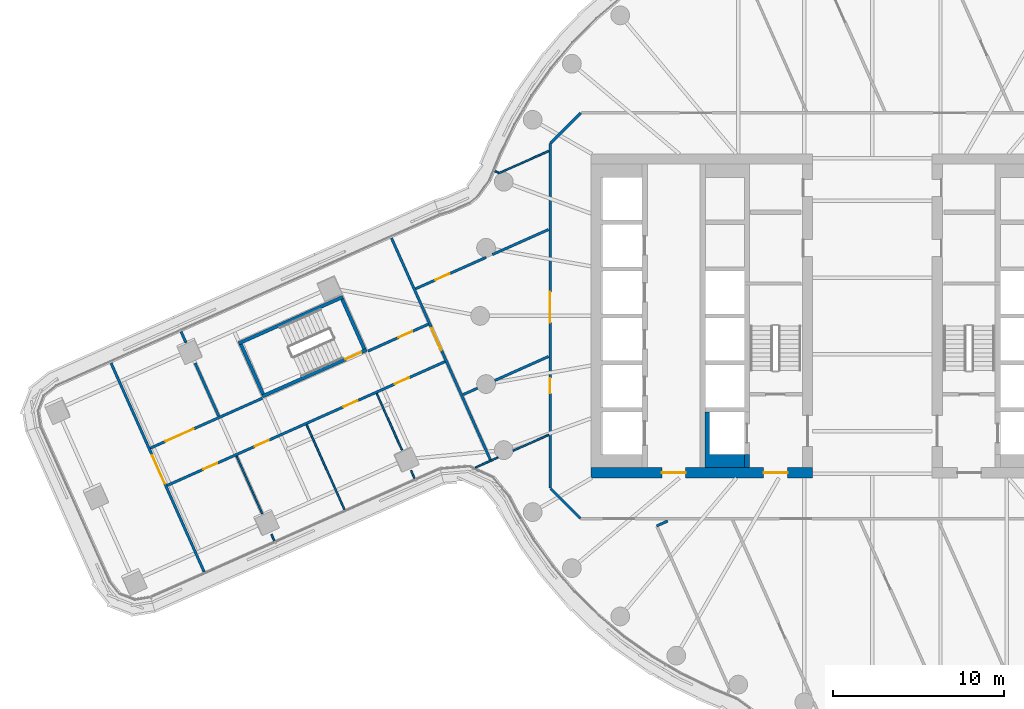
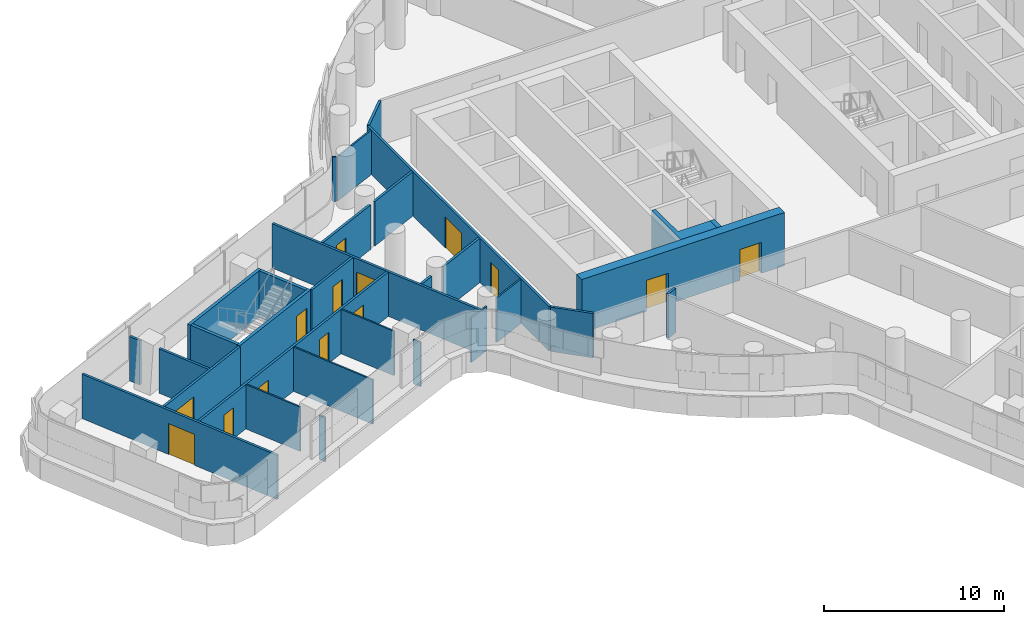
# One storey, part 22 of 35: 31 walls, 14 doors, 14 openings.
"""IFC4 building model written with IfcOpenShell, lengths in metres."""

from ifc_helpers import new_model, si_unit, direction, frame, frame_2d, origin, place, context, subcontext, project, spatial, polyline, rectangle, outline, extrude, material, layer, layer_set, type_object, element, fill, save


model = new_model("IFC4")

# Units and contexts
model_context = context("Model", 3, precision=1e-05, world=origin(), true_north=direction((0.0, 1.0)))
body_context = subcontext(model_context, "Body", "Model", "MODEL_VIEW")
ifc_project = project(units=[si_unit("LENGTHUNIT", "METRE"), si_unit("AREAUNIT", "SQUARE_METRE"), si_unit("VOLUMEUNIT", "CUBIC_METRE"), si_unit("PLANEANGLEUNIT", "RADIAN"), si_unit("MASSUNIT", "GRAM", prefix="KILO")], contexts=[model_context])

# Site, building, storey
site_placement = place(None, origin())
site = spatial("IfcSite", under=ifc_project, at=site_placement, CompositionType="ELEMENT")
building_placement = place(site_placement, origin())
building = spatial("IfcBuilding", under=site, at=building_placement, Name="Tamarind Cross Interchange Tower", CompositionType="ELEMENT")
storey_placement = place(building_placement, frame((0.0, 0.0, 121.0)))
storey = spatial("IfcBuildingStorey", under=building, at=storey_placement, Name="L29", CompositionType="ELEMENT", Elevation=121.0)

# Wall, openings, doors
ifc_material_1 = material(Name="Concrete C70", Category="concrete")
ifc_layer_1 = layer(ifc_material_1, 0.60009765625)
ifc_layer_set_1 = layer_set([ifc_layer_1], Name="Concrete C70")
wall_type_1 = type_object("IfcWallType", Name="Core wall 600 mm Concrete C70", PredefinedType="SHEAR", material=ifc_layer_set_1)
wall_1_placement = place(storey_placement, frame((-16.5, -9.199951171875, 0.0), z_axis=(0.0, 0.0, 1.0), x_axis=(1.0, 0.0, 0.0)))
wall_1 = element("IfcWall", 1, at=wall_1_placement, inside=storey, type_object=wall_type_1, Name="Core wall CWL-L29-W-S", PredefinedType="SHEAR", context=body_context, shape_type="SweptSolid", body=[
    extrude(rectangle(XDim=13.0, YDim=0.60009765625, at=frame_2d((6.5, 0.0))), origin(), (0.0, 0.0, 1.0), 3.610107421875),
])
opening_1_placement = place(wall_1_placement, frame((4.14990234375, 0.0, 0.0)))
opening_1 = element("IfcOpeningElement", 2, at=opening_1_placement, cuts=wall_1, Name="Opening DCW1", PredefinedType="OPENING", context=body_context, shape_type="SweptSolid", body=[
    extrude(rectangle(XDim=1.39990234375, YDim=2.10009765625, at=frame_2d((0.699951171875, 1.050048828125))), frame((0.0, 0.31005859375, 0.0), z_axis=(0.0, -1.0, 0.0), x_axis=(1.0, 0.0, 0.0)), (0.0, 0.0, 1.0), 0.6201171875),
])
opening_2_placement = place(wall_1_placement, frame((10.125, 0.0, 0.0)))
opening_2 = element("IfcOpeningElement", 3, at=opening_2_placement, cuts=wall_1, Name="Opening DCWF", PredefinedType="OPENING", context=body_context, shape_type="SweptSolid", body=[
    extrude(rectangle(XDim=1.39990234375, YDim=2.10009765625, at=frame_2d((0.699951171875, 1.050048828125))), frame((0.0, 0.31005859375, 0.0), z_axis=(0.0, -1.0, 0.0), x_axis=(1.0, 0.0, 0.0)), (0.0, 0.0, 1.0), 0.6201171875),
])
ifc_material_2 = material(Name="Steel, fire-resisting", Category="steel")
door_type_1 = type_object("IfcDoorType", Name="Core fire door 1400 x 2100 FD90", OperationType="SINGLE_SWING_LEFT", PredefinedType="DOOR", material=ifc_material_2)
door_1_placement = place(opening_1_placement, origin())
door_1 = element("IfcDoor", 4, at=door_1_placement, inside=storey, type_object=door_type_1, Name="L29 lift lobby door", OperationType="SINGLE_SWING_LEFT", OverallHeight=2.10009765625, OverallWidth=1.39990234375, PredefinedType="DOOR", context=body_context, shape_type="SweptSolid", body=[
    extrude(rectangle(XDim=1.39990234375, YDim=2.10009765625, at=frame_2d((0.699951171875, 1.050048828125))), frame((0.0, 0.02490234375, 0.0), z_axis=(0.0, -1.0, 0.0), x_axis=(1.0, 0.0, 0.0)), (0.0, 0.0, 1.0), 0.050048828125),
])
fill(opening_1, door_1)
door_2_placement = place(opening_2_placement, origin())
door_2 = element("IfcDoor", 5, at=door_2_placement, inside=storey, type_object=door_type_1, Name="L29 firefighting lobby end door", OperationType="SINGLE_SWING_LEFT", OverallHeight=2.10009765625, OverallWidth=1.39990234375, PredefinedType="DOOR", context=body_context, shape_type="SweptSolid", body=[
    extrude(rectangle(XDim=1.39990234375, YDim=2.10009765625, at=frame_2d((0.699951171875, 1.050048828125))), frame((0.0, 0.02490234375, 0.0), z_axis=(0.0, -1.0, 0.0), x_axis=(1.0, 0.0, 0.0)), (0.0, 0.0, 1.0), 0.050048828125),
])
fill(opening_2, door_2)

# Walls
ifc_layer_2 = layer(ifc_material_1, 0.300048828125)
ifc_layer_set_2 = layer_set([ifc_layer_2], Name="Concrete C70")
wall_type_2 = type_object("IfcWallType", Name="Core web wall 300 mm Concrete C70", PredefinedType="SHEAR", material=ifc_layer_set_2)
wall_2_placement = place(storey_placement, origin())
element("IfcWall", 6, at=wall_2_placement, inside=storey, type_object=wall_type_2, Name="Core wall CWL-L29-W-BS", PredefinedType="SHEAR", context=body_context, shape_type="SweptSolid", body=[
    extrude(outline(polyline([(-7.5, -8.125), (-9.550048828125, -8.125), (-9.550048828125, -5.625), (-9.800048828125, -5.625), (-9.800048828125, -8.125), (-9.800048828125, -8.89990234375), (-7.5, -8.89990234375), (-7.5, -8.125)])), origin(), (0.0, 0.0, 1.0), 3.610107421875),
])
wall_3_placement = place(storey_placement, frame((-7.35009765625, -8.89990234375, 0.0), z_axis=(0.0, 0.0, 1.0), x_axis=(0.0, 1.0, 0.0)))
element("IfcWall", 7, at=wall_3_placement, inside=storey, type_object=wall_type_2, Name="Core wall CWL-L29-W-BW", PredefinedType="SHEAR", context=body_context, shape_type="SweptSolid", body=[
    extrude(rectangle(XDim=0.77490234375, YDim=0.300048828125, at=frame_2d((0.387451171875, 0.0))), origin(), (0.0, 0.0, 1.0), 3.610107421875),
])
ifc_material_3 = material(Name="Gypsum board partition on steel studs", Category="steel")
ifc_layer_3 = layer(ifc_material_3, 0.10009765625)
ifc_layer_set_3 = layer_set([ifc_layer_3], Name="Gypsum board partition on steel studs")
wall_type_3 = type_object("IfcWallType", Name="Partition 100 mm EI 90", PredefinedType="PARTITIONING", material=ifc_layer_set_3)
wall_4_placement = place(storey_placement, frame((-37.281005859375, -8.209228515625, 0.0), z_axis=(0.0, 0.0, 1.0), x_axis=(0.40728327352, -0.913301886076, 0.0)))
element("IfcWall", 8, at=wall_4_placement, inside=storey, type_object=wall_type_3, Name="Partition L29-004", PredefinedType="PARTITIONING", context=body_context, shape_type="SweptSolid", body=[
    extrude(rectangle(XDim=3.718994140625, YDim=0.10009765625, at=frame_2d((1.859375, 0.0))), origin(), (0.0, 0.0, 1.0), 3.010009765625),
])
wall_5_placement = place(storey_placement, frame((-35.232666015625, -12.802734375, 0.0), z_axis=(0.0, 0.0, 1.0), x_axis=(0.407579651789, -0.913169659728, 0.0)))
element("IfcWall", 9, at=wall_5_placement, inside=storey, type_object=wall_type_3, Name="Partition L29-005", PredefinedType="PARTITIONING", context=body_context, shape_type="SweptSolid", body=[
    extrude(rectangle(XDim=0.408447265625, YDim=0.10009765625, at=frame_2d((0.2041015625, 0.0))), origin(), (0.0, 0.0, 1.0), 3.010009765625),
])
wall_6_placement = place(storey_placement, frame((-33.16943359375, -6.381103515625, 0.0), z_axis=(0.0, 0.0, 1.0), x_axis=(0.407237248259, -0.913322409465, 0.0)))
element("IfcWall", 10, at=wall_6_placement, inside=storey, type_object=wall_type_3, Name="Partition L29-006", PredefinedType="PARTITIONING", context=body_context, shape_type="SweptSolid", body=[
    extrude(rectangle(XDim=5.441162109375, YDim=0.10009765625, at=frame_2d((2.720703125, 0.0))), origin(), (0.0, 0.0, 1.0), 3.010009765625),
])
wall_7_placement = place(storey_placement, frame((-29.059326171875, -4.549072265625, 0.0), z_axis=(0.0, 0.0, 1.0), x_axis=(0.407248416629, -0.913317429568, 0.0)))
element("IfcWall", 11, at=wall_7_placement, inside=storey, type_object=wall_type_3, Name="Partition L29-007", PredefinedType="PARTITIONING", context=body_context, shape_type="SweptSolid", body=[
    extrude(rectangle(XDim=3.631591796875, YDim=0.10009765625, at=frame_2d((1.81591796875, 0.0))), origin(), (0.0, 0.0, 1.0), 3.010009765625),
])
wall_8_placement = place(storey_placement, frame((-27.04638671875, -9.06298828125, 0.0), z_axis=(0.0, 0.0, 1.0), x_axis=(0.407033199417, -0.913413364569, 0.0)))
element("IfcWall", 12, at=wall_8_placement, inside=storey, type_object=wall_type_3, Name="Partition L29-008", PredefinedType="PARTITIONING", context=body_context, shape_type="SweptSolid", body=[
    extrude(rectangle(XDim=0.50634765625, YDim=0.10009765625, at=frame_2d((0.253173828125, 0.0))), origin(), (0.0, 0.0, 1.0), 3.010009765625),
])
wall_9_placement = place(storey_placement, frame((-22.130615234375, 8.4814453125, 0.0), z_axis=(0.0, 0.0, 1.0), x_axis=(0.934418057451, -0.356178177193, 0.0)))
element("IfcWall", 13, at=wall_9_placement, inside=storey, type_object=wall_type_3, Name="Partition L29-040", PredefinedType="PARTITIONING", context=body_context, shape_type="SweptSolid", body=[
    extrude(rectangle(XDim=0.22216796875, YDim=0.10009765625, at=frame_2d((0.111083984375, 0.0))), origin(), (0.0, 0.0, 1.0), 3.010009765625),
])
wall_10_placement = place(storey_placement, frame((-23.271240234375, -8.8876953125, 0.0), z_axis=(0.0, 0.0, 1.0), x_axis=(0.913352665592, 0.407169385214, 0.0)))
element("IfcWall", 14, at=wall_10_placement, inside=storey, type_object=wall_type_3, Name="Partition L29-051", PredefinedType="PARTITIONING", context=body_context, shape_type="SweptSolid", body=[
    extrude(rectangle(XDim=1.449951171875, YDim=0.10009765625, at=frame_2d((0.72509765625, 0.0))), origin(), (0.0, 0.0, 1.0), 3.010009765625),
])
wall_11_placement = place(storey_placement, frame((-21.062744140625, -7.903076171875, 0.0), z_axis=(0.0, 0.0, 1.0), x_axis=(0.913374440908, 0.407120535832, 0.0)))
element("IfcWall", 15, at=wall_11_placement, inside=storey, type_object=wall_type_3, Name="Partition L29-052", PredefinedType="PARTITIONING", context=body_context, shape_type="SweptSolid", body=[
    extrude(rectangle(XDim=2.282958984375, YDim=0.10009765625, at=frame_2d((1.1416015625, 0.0))), origin(), (0.0, 0.0, 1.0), 3.010009765625),
])
wall_12_placement = place(storey_placement, frame((-21.913330078125, 8.35986328125, 0.0), z_axis=(0.0, 0.0, 1.0), x_axis=(0.913372506339, 0.407124876007, 0.0)))
element("IfcWall", 16, at=wall_12_placement, inside=storey, type_object=wall_type_3, Name="Partition L29-053", PredefinedType="PARTITIONING", context=body_context, shape_type="SweptSolid", body=[
    extrude(rectangle(XDim=3.214111328125, YDim=0.10009765625, at=frame_2d((1.60693359375, 0.0))), origin(), (0.0, 0.0, 1.0), 3.010009765625),
])

# Wall, opening, door
ifc_layer_4 = layer(ifc_material_3, 0.14990234375)
ifc_layer_set_4 = layer_set([ifc_layer_4], Name="Gypsum board partition on steel studs")
wall_type_4 = type_object("IfcWallType", Name="Partition 150 mm EI 120", PredefinedType="PARTITIONING", material=ifc_layer_set_4)
wall_13_placement = place(storey_placement, frame((-44.638427734375, -2.759033203125, 0.0), z_axis=(0.0, 0.0, 1.0), x_axis=(0.407207925172, -0.913335483641, 0.0)))
wall_13 = element("IfcWall", 17, at=wall_13_placement, inside=storey, type_object=wall_type_4, Name="Partition L29-001", PredefinedType="PARTITIONING", context=body_context, shape_type="SweptSolid", body=[
    extrude(rectangle(XDim=13.404052734375, YDim=0.14990234375, at=frame_2d((6.7021484375, 0.0))), origin(), (0.0, 0.0, 1.0), 3.010009765625),
])
opening_3_placement = place(wall_13_placement, frame((5.94873046875, 0.0, 0.0)))
opening_3 = element("IfcOpeningElement", 18, at=opening_3_placement, cuts=wall_13, Name="Opening D01", PredefinedType="OPENING", context=body_context, shape_type="SweptSolid", body=[
    extrude(rectangle(XDim=1.800048828125, YDim=2.10009765625, at=frame_2d((0.89990234375, 1.050048828125))), frame((0.0, 0.0849609375, 0.0), z_axis=(0.0, -1.0, 0.0), x_axis=(1.0, 0.0, 0.0)), (0.0, 0.0, 1.0), 0.169921875),
])
ifc_material_4 = material(Name="Fire-resisting door set")
door_type_2 = type_object("IfcDoorType", Name="Interior door 1800 x 2100 FD60S", OperationType="DOUBLE_DOOR_SINGLE_SWING", PredefinedType="DOOR", material=ifc_material_4)
door_3_placement = place(opening_3_placement, frame((1.800048828125, 0.0, 0.0), z_axis=(0.0, 0.0, 1.0), x_axis=(-1.0, 0.0, 0.0)))
door_3 = element("IfcDoor", 19, at=door_3_placement, inside=storey, type_object=door_type_2, Name="Door D01", OperationType="DOUBLE_DOOR_SINGLE_SWING", OverallHeight=2.10009765625, OverallWidth=1.800048828125, PredefinedType="DOOR", context=body_context, shape_type="SweptSolid", body=[
    extrude(rectangle(XDim=1.800048828125, YDim=2.10009765625, at=frame_2d((0.89990234375, 1.050048828125))), frame((0.0, 0.02490234375, 0.0), z_axis=(0.0, -1.0, 0.0), x_axis=(1.0, 0.0, 0.0)), (0.0, 0.0, 1.0), 0.050048828125),
])
fill(opening_3, door_3)

# Walls
wall_14_placement = place(storey_placement, frame((-40.52880859375, -0.926513671875, 0.0), z_axis=(0.0, 0.0, 1.0), x_axis=(0.407287150965, -0.913300156936, 0.0)))
element("IfcWall", 20, at=wall_14_placement, inside=storey, type_object=wall_type_4, Name="Partition L29-002", PredefinedType="PARTITIONING", context=body_context, shape_type="SweptSolid", body=[
    extrude(rectangle(XDim=0.709716796875, YDim=0.14990234375, at=frame_2d((0.35498046875, 0.0))), origin(), (0.0, 0.0, 1.0), 3.010009765625),
])
wall_15_placement = place(storey_placement, frame((-39.705810546875, -2.771728515625, 0.0), z_axis=(0.0, 0.0, 1.0), x_axis=(0.407271128728, -0.9133073019, 0.0)))
element("IfcWall", 21, at=wall_15_placement, inside=storey, type_object=wall_type_4, Name="Partition L29-003", PredefinedType="PARTITIONING", context=body_context, shape_type="SweptSolid", body=[
    extrude(rectangle(XDim=3.39892578125, YDim=0.14990234375, at=frame_2d((1.699462890625, 0.0))), origin(), (0.0, 0.0, 1.0), 3.010009765625),
])

# Wall, opening, door
wall_16_placement = place(storey_placement, frame((-28.198486328125, 4.571044921875, 0.0), z_axis=(0.0, 0.0, 1.0), x_axis=(0.40727361365, -0.913306193795, 0.0)))
wall_16 = element("IfcWall", 22, at=wall_16_placement, inside=storey, type_object=wall_type_4, Name="Partition L29-009", PredefinedType="PARTITIONING", context=body_context, shape_type="SweptSolid", body=[
    extrude(rectangle(XDim=14.244140625, YDim=0.14990234375, at=frame_2d((7.1220703125, 0.0))), origin(), (0.0, 0.0, 1.0), 3.010009765625),
])
opening_4_placement = place(wall_16_placement, frame((5.798583984375, 0.0, 0.0)))
opening_4 = element("IfcOpeningElement", 23, at=opening_4_placement, cuts=wall_16, Name="Opening D02", PredefinedType="OPENING", context=body_context, shape_type="SweptSolid", body=[
    extrude(rectangle(XDim=1.39990234375, YDim=2.10009765625, at=frame_2d((0.699951171875, 1.050048828125))), frame((0.0, 0.0849609375, 0.0), z_axis=(0.0, -1.0, 0.0), x_axis=(1.0, 0.0, 0.0)), (0.0, 0.0, 1.0), 0.169921875),
])
door_type_3 = type_object("IfcDoorType", Name="Interior door 1400 x 2100 FD60S", OperationType="DOUBLE_DOOR_SINGLE_SWING", PredefinedType="DOOR", material=ifc_material_4)
door_4_placement = place(opening_4_placement, origin())
door_4 = element("IfcDoor", 24, at=door_4_placement, inside=storey, type_object=door_type_3, Name="Door D02", OperationType="DOUBLE_DOOR_SINGLE_SWING", OverallHeight=2.10009765625, OverallWidth=1.39990234375, PredefinedType="DOOR", context=body_context, shape_type="SweptSolid", body=[
    extrude(rectangle(XDim=1.39990234375, YDim=2.10009765625, at=frame_2d((0.699951171875, 1.050048828125))), frame((0.0, 0.02490234375, 0.0), z_axis=(0.0, -1.0, 0.0), x_axis=(1.0, 0.0, 0.0)), (0.0, 0.0, 1.0), 0.050048828125),
])
fill(opening_4, door_4)

# Wall
wall_17_placement = place(storey_placement, frame((-18.87158203125, -10.12841796875, 0.0), z_axis=(0.0, 0.0, 1.0), x_axis=(0.707106781187, -0.707106781187, 0.0)))
element("IfcWall", 25, at=wall_17_placement, inside=storey, type_object=wall_type_4, Name="Partition L29-038", PredefinedType="PARTITIONING", context=body_context, shape_type="SweptSolid", body=[
    extrude(rectangle(XDim=2.465087890625, YDim=0.14990234375, at=frame_2d((1.232421875, 0.0))), origin(), (0.0, 0.0, 1.0), 3.010009765625),
])

# Wall, opening, door
wall_18_placement = place(storey_placement, frame((-42.33056640625, -7.75048828125, 0.0), z_axis=(0.0, 0.0, 1.0), x_axis=(0.913328871812, 0.407222754662, 0.0)))
wall_18 = element("IfcWall", 26, at=wall_18_placement, inside=storey, type_object=wall_type_4, Name="Partition L29-044", PredefinedType="PARTITIONING", context=body_context, shape_type="SweptSolid", body=[
    extrude(rectangle(XDim=7.184814453125, YDim=0.14990234375, at=frame_2d((3.59228515625, 0.0))), origin(), (0.0, 0.0, 1.0), 3.010009765625),
])
opening_5_placement = place(wall_18_placement, frame((0.97509765625, 0.0, 0.0)))
opening_5 = element("IfcOpeningElement", 27, at=opening_5_placement, cuts=wall_18, Name="Opening D23", PredefinedType="OPENING", context=body_context, shape_type="SweptSolid", body=[
    extrude(rectangle(XDim=1.800048828125, YDim=2.10009765625, at=frame_2d((0.89990234375, 1.050048828125))), frame((0.0, 0.0849609375, 0.0), z_axis=(0.0, -1.0, 0.0), x_axis=(1.0, 0.0, 0.0)), (0.0, 0.0, 1.0), 0.169921875),
])
door_5_placement = place(opening_5_placement, origin())
door_5 = element("IfcDoor", 28, at=door_5_placement, inside=storey, type_object=door_type_2, Name="Door D23", OperationType="DOUBLE_DOOR_SINGLE_SWING", OverallHeight=2.10009765625, OverallWidth=1.800048828125, PredefinedType="DOOR", context=body_context, shape_type="SweptSolid", body=[
    extrude(rectangle(XDim=1.800048828125, YDim=2.10009765625, at=frame_2d((0.89990234375, 1.050048828125))), frame((0.0, 0.02490234375, 0.0), z_axis=(0.0, -1.0, 0.0), x_axis=(1.0, 0.0, 0.0)), (0.0, 0.0, 1.0), 0.050048828125),
])
fill(opening_5, door_5)

wall_19_placement = place(storey_placement, frame((-29.576416015625, -2.06396484375, 0.0), z_axis=(0.0, 0.0, 1.0), x_axis=(0.913308202541, 0.407269109031, 0.0)))
wall_19 = element("IfcWall", 29, at=wall_19_placement, inside=storey, type_object=wall_type_4, Name="Partition L29-045", PredefinedType="PARTITIONING", context=body_context, shape_type="SweptSolid", body=[
    extrude(rectangle(XDim=3.8857421875, YDim=0.14990234375, at=frame_2d((1.94287109375, 0.0))), origin(), (0.0, 0.0, 1.0), 3.010009765625),
])
opening_6_placement = place(wall_19_placement, frame((1.949951171875, 0.0, 0.0)))
opening_6 = element("IfcOpeningElement", 30, at=opening_6_placement, cuts=wall_19, Name="Opening D24", PredefinedType="OPENING", context=body_context, shape_type="SweptSolid", body=[
    extrude(rectangle(XDim=0.89990234375, YDim=2.10009765625, at=frame_2d((0.449951171875, 1.050048828125))), frame((0.0, 0.0849609375, 0.0), z_axis=(0.0, -1.0, 0.0), x_axis=(1.0, 0.0, 0.0)), (0.0, 0.0, 1.0), 0.169921875),
])
door_type_4 = type_object("IfcDoorType", Name="Interior door 900 x 2100 FD60S", OperationType="SINGLE_SWING_LEFT", PredefinedType="DOOR", material=ifc_material_4)
door_6_placement = place(opening_6_placement, origin())
door_6 = element("IfcDoor", 31, at=door_6_placement, inside=storey, type_object=door_type_4, Name="Door D24", OperationType="SINGLE_SWING_LEFT", OverallHeight=2.10009765625, OverallWidth=0.89990234375, PredefinedType="DOOR", context=body_context, shape_type="SweptSolid", body=[
    extrude(rectangle(XDim=0.89990234375, YDim=2.10009765625, at=frame_2d((0.449951171875, 1.050048828125))), frame((0.0, 0.02490234375, 0.0), z_axis=(0.0, -1.0, 0.0), x_axis=(1.0, 0.0, 0.0)), (0.0, 0.0, 1.0), 0.050048828125),
])
fill(opening_6, door_6)

# Wall, openings, doors
wall_20_placement = place(storey_placement, frame((-41.353515625, -9.9423828125, 0.0), z_axis=(0.0, 0.0, 1.0), x_axis=(0.913374473064, 0.40712046369, 0.0)))
wall_20 = element("IfcWall", 32, at=wall_20_placement, inside=storey, type_object=wall_type_4, Name="Partition L29-046", PredefinedType="PARTITIONING", context=body_context, shape_type="SweptSolid", body=[
    extrude(rectangle(XDim=17.849853515625, YDim=0.14990234375, at=frame_2d((8.9248046875, 0.0))), origin(), (0.0, 0.0, 1.0), 3.010009765625),
])
opening_7_placement = place(wall_20_placement, frame((14.624755859375, 0.0, 0.0)))
opening_7 = element("IfcOpeningElement", 33, at=opening_7_placement, cuts=wall_20, Name="Opening D25", PredefinedType="OPENING", context=body_context, shape_type="SweptSolid", body=[
    extrude(rectangle(XDim=0.89990234375, YDim=2.10009765625, at=frame_2d((0.449951171875, 1.050048828125))), frame((0.0, 0.0849609375, 0.0), z_axis=(0.0, -1.0, 0.0), x_axis=(1.0, 0.0, 0.0)), (0.0, 0.0, 1.0), 0.169921875),
])
opening_8_placement = place(wall_20_placement, frame((11.324951171875, 0.0, 0.0)))
opening_8 = element("IfcOpeningElement", 34, at=opening_8_placement, cuts=wall_20, Name="Opening D26", PredefinedType="OPENING", context=body_context, shape_type="SweptSolid", body=[
    extrude(rectangle(XDim=0.89990234375, YDim=2.10009765625, at=frame_2d((0.449951171875, 1.050048828125))), frame((0.0, 0.0849609375, 0.0), z_axis=(0.0, -1.0, 0.0), x_axis=(1.0, 0.0, 0.0)), (0.0, 0.0, 1.0), 0.169921875),
])
opening_9_placement = place(wall_20_placement, frame((5.624755859375, 0.0, 0.0)))
opening_9 = element("IfcOpeningElement", 35, at=opening_9_placement, cuts=wall_20, Name="Opening D27", PredefinedType="OPENING", context=body_context, shape_type="SweptSolid", body=[
    extrude(rectangle(XDim=0.89990234375, YDim=2.10009765625, at=frame_2d((0.449951171875, 1.050048828125))), frame((0.0, 0.0849609375, 0.0), z_axis=(0.0, -1.0, 0.0), x_axis=(1.0, 0.0, 0.0)), (0.0, 0.0, 1.0), 0.169921875),
])
opening_10_placement = place(wall_20_placement, frame((2.324951171875, 0.0, 0.0)))
opening_10 = element("IfcOpeningElement", 36, at=opening_10_placement, cuts=wall_20, Name="Opening D28", PredefinedType="OPENING", context=body_context, shape_type="SweptSolid", body=[
    extrude(rectangle(XDim=0.89990234375, YDim=2.10009765625, at=frame_2d((0.449951171875, 1.050048828125))), frame((0.0, 0.0849609375, 0.0), z_axis=(0.0, -1.0, 0.0), x_axis=(1.0, 0.0, 0.0)), (0.0, 0.0, 1.0), 0.169921875),
])
door_7_placement = place(opening_7_placement, frame((0.89990234375, 0.0, 0.0), z_axis=(0.0, 0.0, 1.0), x_axis=(-1.0, 0.0, 0.0)))
door_7 = element("IfcDoor", 37, at=door_7_placement, inside=storey, type_object=door_type_4, Name="Door D25", OperationType="SINGLE_SWING_RIGHT", OverallHeight=2.10009765625, OverallWidth=0.89990234375, PredefinedType="DOOR", context=body_context, shape_type="SweptSolid", body=[
    extrude(rectangle(XDim=0.89990234375, YDim=2.10009765625, at=frame_2d((0.449951171875, 1.050048828125))), frame((0.0, 0.02490234375, 0.0), z_axis=(0.0, -1.0, 0.0), x_axis=(1.0, 0.0, 0.0)), (0.0, 0.0, 1.0), 0.050048828125),
])
fill(opening_7, door_7)
door_8_placement = place(opening_8_placement, frame((0.89990234375, 0.0, 0.0), z_axis=(0.0, 0.0, 1.0), x_axis=(-1.0, 0.0, 0.0)))
door_8 = element("IfcDoor", 38, at=door_8_placement, inside=storey, type_object=door_type_4, Name="Door D26", OperationType="SINGLE_SWING_RIGHT", OverallHeight=2.10009765625, OverallWidth=0.89990234375, PredefinedType="DOOR", context=body_context, shape_type="SweptSolid", body=[
    extrude(rectangle(XDim=0.89990234375, YDim=2.10009765625, at=frame_2d((0.449951171875, 1.050048828125))), frame((0.0, 0.02490234375, 0.0), z_axis=(0.0, -1.0, 0.0), x_axis=(1.0, 0.0, 0.0)), (0.0, 0.0, 1.0), 0.050048828125),
])
fill(opening_8, door_8)
door_9_placement = place(opening_9_placement, frame((0.89990234375, 0.0, 0.0), z_axis=(0.0, 0.0, 1.0), x_axis=(-1.0, 0.0, 0.0)))
door_9 = element("IfcDoor", 39, at=door_9_placement, inside=storey, type_object=door_type_4, Name="Door D27", OperationType="SINGLE_SWING_LEFT", OverallHeight=2.10009765625, OverallWidth=0.89990234375, PredefinedType="DOOR", context=body_context, shape_type="SweptSolid", body=[
    extrude(rectangle(XDim=0.89990234375, YDim=2.10009765625, at=frame_2d((0.449951171875, 1.050048828125))), frame((0.0, 0.02490234375, 0.0), z_axis=(0.0, -1.0, 0.0), x_axis=(1.0, 0.0, 0.0)), (0.0, 0.0, 1.0), 0.050048828125),
])
fill(opening_9, door_9)
door_10_placement = place(opening_10_placement, frame((0.89990234375, 0.0, 0.0), z_axis=(0.0, 0.0, 1.0), x_axis=(-1.0, 0.0, 0.0)))
door_10 = element("IfcDoor", 40, at=door_10_placement, inside=storey, type_object=door_type_4, Name="Door D28", OperationType="SINGLE_SWING_LEFT", OverallHeight=2.10009765625, OverallWidth=0.89990234375, PredefinedType="DOOR", context=body_context, shape_type="SweptSolid", body=[
    extrude(rectangle(XDim=0.89990234375, YDim=2.10009765625, at=frame_2d((0.449951171875, 1.050048828125))), frame((0.0, 0.02490234375, 0.0), z_axis=(0.0, -1.0, 0.0), x_axis=(1.0, 0.0, 0.0)), (0.0, 0.0, 1.0), 0.050048828125),
])
fill(opening_10, door_10)

# Wall, opening, door
wall_21_placement = place(storey_placement, frame((-26.781982421875, 1.590576171875, 0.0), z_axis=(0.0, 0.0, 1.0), x_axis=(0.913317594787, 0.4072480461, 0.0)))
wall_21 = element("IfcWall", 41, at=wall_21_placement, inside=storey, type_object=wall_type_4, Name="Partition L29-047", PredefinedType="PARTITIONING", context=body_context, shape_type="SweptSolid", body=[
    extrude(rectangle(XDim=4.531005859375, YDim=0.14990234375, at=frame_2d((2.265625, 0.0))), origin(), (0.0, 0.0, 1.0), 3.010009765625),
])
opening_11_placement = place(wall_21_placement, frame((1.27001953125, 0.0, 0.0)))
opening_11 = element("IfcOpeningElement", 42, at=opening_11_placement, cuts=wall_21, Name="Opening D29", PredefinedType="OPENING", context=body_context, shape_type="SweptSolid", body=[
    extrude(rectangle(XDim=0.89990234375, YDim=2.10009765625, at=frame_2d((0.449951171875, 1.050048828125))), frame((0.0, 0.0849609375, 0.0), z_axis=(0.0, -1.0, 0.0), x_axis=(1.0, 0.0, 0.0)), (0.0, 0.0, 1.0), 0.169921875),
])
door_11_placement = place(opening_11_placement, origin())
door_11 = element("IfcDoor", 43, at=door_11_placement, inside=storey, type_object=door_type_4, Name="Door D29", OperationType="SINGLE_SWING_RIGHT", OverallHeight=2.10009765625, OverallWidth=0.89990234375, PredefinedType="DOOR", context=body_context, shape_type="SweptSolid", body=[
    extrude(rectangle(XDim=0.89990234375, YDim=2.10009765625, at=frame_2d((0.449951171875, 1.050048828125))), frame((0.0, 0.02490234375, 0.0), z_axis=(0.0, -1.0, 0.0), x_axis=(1.0, 0.0, 0.0)), (0.0, 0.0, 1.0), 0.050048828125),
])
fill(opening_11, door_11)

# Walls
wall_22_placement = place(storey_placement, frame((-22.282958984375, 3.5966796875, 0.0), z_axis=(0.0, 0.0, 1.0), x_axis=(0.913319907559, 0.407242859307, 0.0)))
element("IfcWall", 44, at=wall_22_placement, inside=storey, type_object=wall_type_4, Name="Partition L29-048", PredefinedType="PARTITIONING", context=body_context, shape_type="SweptSolid", body=[
    extrude(rectangle(XDim=3.60888671875, YDim=0.14990234375, at=frame_2d((1.804443359375, 0.0))), origin(), (0.0, 0.0, 1.0), 3.010009765625),
])
wall_23_placement = place(storey_placement, frame((-24.012939453125, -4.620361328125, 0.0), z_axis=(0.0, 0.0, 1.0), x_axis=(0.913312231487, 0.407260073928, 0.0)))
element("IfcWall", 45, at=wall_23_placement, inside=storey, type_object=wall_type_4, Name="Partition L29-049", PredefinedType="PARTITIONING", context=body_context, shape_type="SweptSolid", body=[
    extrude(rectangle(XDim=0.948974609375, YDim=0.14990234375, at=frame_2d((0.474609375, 0.0))), origin(), (0.0, 0.0, 1.0), 3.010009765625),
])
wall_24_placement = place(storey_placement, frame((-22.145751953125, -3.78759765625, 0.0), z_axis=(0.0, 0.0, 1.0), x_axis=(0.913278113034, 0.407336578585, 0.0)))
element("IfcWall", 46, at=wall_24_placement, inside=storey, type_object=wall_type_4, Name="Partition L29-050", PredefinedType="PARTITIONING", context=body_context, shape_type="SweptSolid", body=[
    extrude(rectangle(XDim=3.458984375, YDim=0.14990234375, at=frame_2d((1.7294921875, 0.0))), origin(), (0.0, 0.0, 1.0), 3.010009765625),
])
wall_25_placement = place(storey_placement, frame((-12.64208984375, -12.30810546875, 0.0), z_axis=(0.0, 0.0, 1.0), x_axis=(0.913247290994, 0.407405676803, 0.0)))
element("IfcWall", 47, at=wall_25_placement, inside=storey, type_object=wall_type_4, Name="Partition L29-054", PredefinedType="PARTITIONING", context=body_context, shape_type="SweptSolid", body=[
    extrude(rectangle(XDim=0.697021484375, YDim=0.14990234375, at=frame_2d((0.3486328125, 0.0))), origin(), (0.0, 0.0, 1.0), 3.010009765625),
])
wall_26_placement = place(storey_placement, frame((-18.87158203125, 10.12841796875, 0.0), z_axis=(0.0, 0.0, 1.0), x_axis=(0.707106781187, 0.707106781187, 0.0)))
element("IfcWall", 48, at=wall_26_placement, inside=storey, type_object=wall_type_4, Name="Partition L29-076", PredefinedType="PARTITIONING", context=body_context, shape_type="SweptSolid", body=[
    extrude(rectangle(XDim=2.50537109375, YDim=0.14990234375, at=frame_2d((1.252685546875, 0.0))), origin(), (0.0, 0.0, 1.0), 3.010009765625),
])

# Wall, openings, doors
wall_27_placement = place(storey_placement, frame((-18.89990234375, -10.10009765625, 0.0), z_axis=(0.0, 0.0, 1.0), x_axis=(0.0, 1.0, 0.0)))
wall_27 = element("IfcWall", 49, at=wall_27_placement, inside=storey, type_object=wall_type_4, Name="Partition L29-080", PredefinedType="PARTITIONING", context=body_context, shape_type="SweptSolid", body=[
    extrude(rectangle(XDim=20.2001953125, YDim=0.14990234375, at=frame_2d((10.10009765625, 0.0))), origin(), (0.0, 0.0, 1.0), 3.010009765625),
])
opening_12_placement = place(wall_27_placement, frame((9.7099609375, 0.0, 0.0)))
opening_12 = element("IfcOpeningElement", 50, at=opening_12_placement, cuts=wall_27, Name="Opening D38", PredefinedType="OPENING", context=body_context, shape_type="SweptSolid", body=[
    extrude(rectangle(XDim=1.800048828125, YDim=2.10009765625, at=frame_2d((0.89990234375, 1.050048828125))), frame((0.0, 0.0849609375, 0.0), z_axis=(0.0, -1.0, 0.0), x_axis=(1.0, 0.0, 0.0)), (0.0, 0.0, 1.0), 0.169921875),
])
opening_13_placement = place(wall_27_placement, frame((5.56103515625, 0.0, 0.0)))
opening_13 = element("IfcOpeningElement", 51, at=opening_13_placement, cuts=wall_27, Name="Opening D39", PredefinedType="OPENING", context=body_context, shape_type="SweptSolid", body=[
    extrude(rectangle(XDim=0.89990234375, YDim=2.10009765625, at=frame_2d((0.449951171875, 1.050048828125))), frame((0.0, 0.0849609375, 0.0), z_axis=(0.0, -1.0, 0.0), x_axis=(1.0, 0.0, 0.0)), (0.0, 0.0, 1.0), 0.169921875),
])
door_12_placement = place(opening_12_placement, frame((1.800048828125, 0.0, 0.0), z_axis=(0.0, 0.0, 1.0), x_axis=(-1.0, 0.0, 0.0)))
door_12 = element("IfcDoor", 52, at=door_12_placement, inside=storey, type_object=door_type_2, Name="Door D38", OperationType="DOUBLE_DOOR_SINGLE_SWING", OverallHeight=2.10009765625, OverallWidth=1.800048828125, PredefinedType="DOOR", context=body_context, shape_type="SweptSolid", body=[
    extrude(rectangle(XDim=1.800048828125, YDim=2.10009765625, at=frame_2d((0.89990234375, 1.050048828125))), frame((0.0, 0.02490234375, 0.0), z_axis=(0.0, -1.0, 0.0), x_axis=(1.0, 0.0, 0.0)), (0.0, 0.0, 1.0), 0.050048828125),
])
fill(opening_12, door_12)
door_13_placement = place(opening_13_placement, origin())
door_13 = element("IfcDoor", 53, at=door_13_placement, inside=storey, type_object=door_type_4, Name="Door D39", OperationType="SINGLE_SWING_RIGHT", OverallHeight=2.10009765625, OverallWidth=0.89990234375, PredefinedType="DOOR", context=body_context, shape_type="SweptSolid", body=[
    extrude(rectangle(XDim=0.89990234375, YDim=2.10009765625, at=frame_2d((0.449951171875, 1.050048828125))), frame((0.0, 0.02490234375, 0.0), z_axis=(0.0, -1.0, 0.0), x_axis=(1.0, 0.0, 0.0)), (0.0, 0.0, 1.0), 0.050048828125),
])
fill(opening_13, door_13)

# Wall, opening, door
ifc_material_5 = material(Name="Concrete C40", Category="concrete")
ifc_layer_5 = layer(ifc_material_5, 0.199951171875)
ifc_layer_set_5 = layer_set([ifc_layer_5], Name="Concrete C40")
wall_type_5 = type_object("IfcWallType", Name="Stair shaft wall 200 mm Concrete C40", PredefinedType="SHEAR", material=ifc_layer_set_5)
wall_28_placement = place(storey_placement, frame((-29.6533203125, -1.989013671875, -0.139892578125), z_axis=(0.0, 0.0, 1.0), x_axis=(-0.913337599768, -0.407203178831, 0.0)))
wall_28 = element("IfcWall", 54, at=wall_28_placement, inside=storey, type_object=wall_type_5, Name="Core wall CWL-L29-ST5-H", PredefinedType="SHEAR", context=body_context, shape_type="SweptSolid", body=[
    extrude(rectangle(XDim=6.699951171875, YDim=0.199951171875, at=frame_2d((3.35009765625, 0.0))), origin(), (0.0, 0.0, 1.0), 3.14990234375),
])
opening_14_placement = place(wall_28_placement, frame((0.35009765625, 0.0, 0.0)))
opening_14 = element("IfcOpeningElement", 55, at=opening_14_placement, cuts=wall_28, Name="Opening ST5L29", PredefinedType="OPENING", context=body_context, shape_type="SweptSolid", body=[
    extrude(rectangle(XDim=1.0, YDim=2.10009765625, at=frame_2d((0.5, 1.050048828125))), frame((0.0, 0.10986328125, 0.0), z_axis=(0.0, -1.0, 0.0), x_axis=(1.0, 0.0, 0.0)), (0.0, 0.0, 1.0), 0.219970703125),
])
door_type_5 = type_object("IfcDoorType", Name="Core fire door 1000 x 2100 FD90", OperationType="SINGLE_SWING_LEFT", PredefinedType="DOOR", material=ifc_material_2)
door_14_placement = place(opening_14_placement, origin())
door_14 = element("IfcDoor", 56, at=door_14_placement, inside=storey, type_object=door_type_5, Name="L29 stair door ST5", OperationType="SINGLE_SWING_LEFT", OverallHeight=2.10009765625, OverallWidth=1.0, PredefinedType="DOOR", context=body_context, shape_type="SweptSolid", body=[
    extrude(rectangle(XDim=1.0, YDim=2.10009765625, at=frame_2d((0.5, 1.050048828125))), frame((0.0, 0.02490234375, 0.0), z_axis=(0.0, -1.0, 0.0), x_axis=(1.0, 0.0, 0.0)), (0.0, 0.0, 1.0), 0.050048828125),
])
fill(opening_14, door_14)

# Walls
wall_29_placement = place(storey_placement, frame((-31.037841796875, 1.1162109375, -0.139892578125), z_axis=(0.0, 0.0, 1.0), x_axis=(-0.913337599768, -0.407203178831, 0.0)))
element("IfcWall", 57, at=wall_29_placement, inside=storey, type_object=wall_type_5, Name="Core wall CWL-L29-ST5-C", PredefinedType="SHEAR", context=body_context, shape_type="SweptSolid", body=[
    extrude(rectangle(XDim=6.699951171875, YDim=0.199951171875, at=frame_2d((3.35009765625, 0.0))), origin(), (0.0, 0.0, 1.0), 3.14990234375),
])
wall_30_placement = place(storey_placement, frame((-31.08837890625, 0.984375, -0.139892578125), z_axis=(0.0, 0.0, 1.0), x_axis=(0.407164597913, -0.913354799739, 0.0)))
element("IfcWall", 58, at=wall_30_placement, inside=storey, type_object=wall_type_5, Name="Core wall CWL-L29-ST5-CE", PredefinedType="SHEAR", context=body_context, shape_type="SweptSolid", body=[
    extrude(rectangle(XDim=3.2001953125, YDim=0.199951171875, at=frame_2d((1.60009765625, 0.0))), origin(), (0.0, 0.0, 1.0), 3.14990234375),
])
wall_31_placement = place(storey_placement, frame((0.0, 0.0, -0.139892578125)))
element("IfcWall", 59, at=wall_31_placement, inside=storey, type_object=wall_type_5, Name="Core wall CWL-L29-ST5-CF", PredefinedType="SHEAR", context=body_context, shape_type="SweptSolid", body=[
    extrude(outline(polyline([(-36.933837890625, -1.621826171875), (-37.116455078125, -1.703369140625), (-35.8134765625, -4.6259765625), (-35.630615234375, -4.544677734375), (-36.933837890625, -1.621826171875)])), origin(), (0.0, 0.0, 1.0), 3.14990234375),
])

save(model, "model.ifc")
